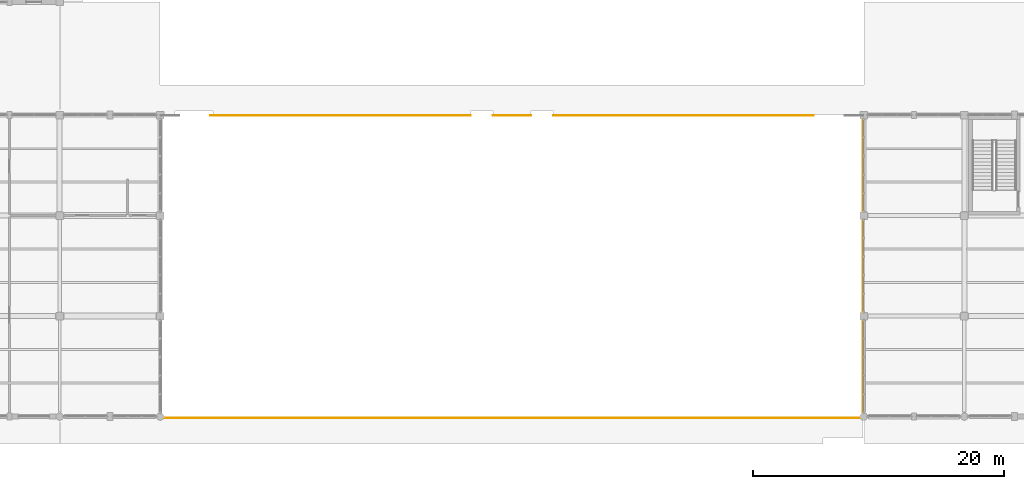
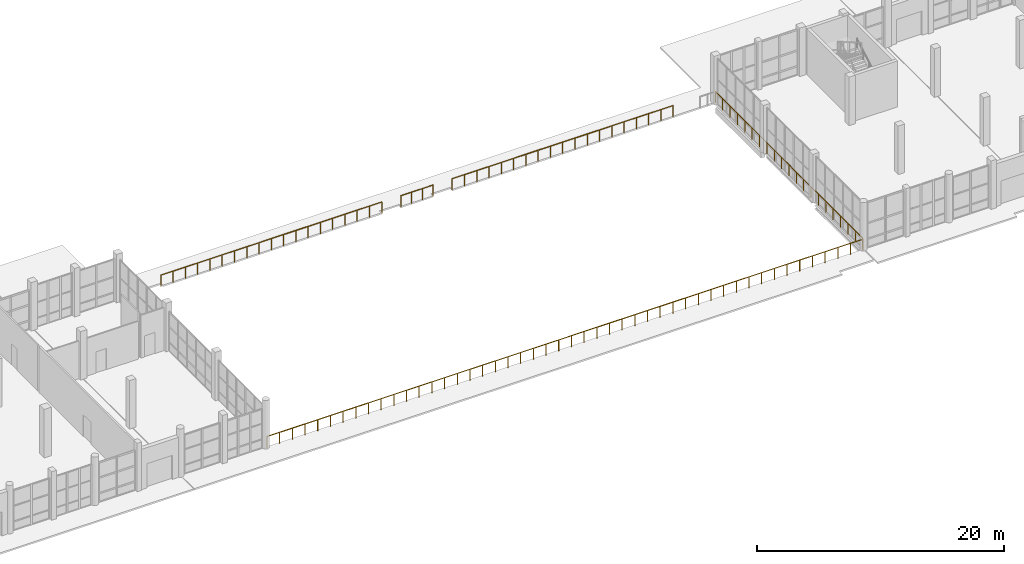
# One storey, part 142 of 156: 5 railings.
"""IFC4 building model written with IfcOpenShell, lengths in metres."""

from ifc_helpers import new_model, si_unit, direction, frame, origin, origin_2d, place, context, subcontext, project, spatial, circle, extrude, material, type_object, element, save


model = new_model("IFC4")

# Units and contexts
model_context = context("Model", 3, precision=1e-05, world=origin(), true_north=direction((0.0, 1.0)))
body_context = subcontext(model_context, "Body", "Model", "MODEL_VIEW")
ifc_project = project(units=[si_unit("LENGTHUNIT", "METRE"), si_unit("AREAUNIT", "SQUARE_METRE"), si_unit("VOLUMEUNIT", "CUBIC_METRE"), si_unit("PLANEANGLEUNIT", "RADIAN"), si_unit("MASSUNIT", "GRAM", prefix="KILO")], contexts=[model_context])

# Site, building, storey
site_placement = place(None, origin())
site = spatial("IfcSite", under=ifc_project, at=site_placement, CompositionType="ELEMENT")
building_placement = place(site_placement, origin())
building = spatial("IfcBuilding", under=site, at=building_placement, Name="Luwemba Playhouse", CompositionType="ELEMENT")
storey_placement = place(building_placement, origin())
storey = spatial("IfcBuildingStorey", under=building, at=storey_placement, Name="L00", CompositionType="ELEMENT", Elevation=0.0)

# Railings
ifc_material = material(Name="Painted wrought-iron balustrade", Category="steel")
railing_type = type_object("IfcRailingType", Name="RLG-BAL-EXT", PredefinedType="BALUSTRADE", material=ifc_material)
railing_1_placement = place(storey_placement, frame((60.050048828125, 2.8798828125, 0.0)))
element("IfcRailing", 1, at=railing_1_placement, inside=storey, type_object=railing_type, Name="Sunken Metro Forecourt L00 rim balustrade 012", PredefinedType="BALUSTRADE", context=body_context, shape_type="SweptSolid", body=[
    extrude(circle(Radius=0.02392578125, at=origin_2d()), frame((0.0, 0.0, 1.09619140625), z_axis=(1.0, 0.0, 0.0), x_axis=(0.0, 1.0, 0.0)), (0.0, 0.0, 1.0), 55.849853515625),
    extrude(circle(Radius=0.02099609375, at=origin_2d()), origin(), (0.0, 0.0, 1.0), 1.072021484375),
    extrude(circle(Radius=0.02099609375, at=origin_2d()), frame((1.188232421875, 0.0, 0.0)), (0.0, 0.0, 1.0), 1.072021484375),
    extrude(circle(Radius=0.02099609375, at=origin_2d()), frame((2.376708984375, 0.0, 0.0)), (0.0, 0.0, 1.0), 1.072021484375),
    extrude(circle(Radius=0.02099609375, at=origin_2d()), frame((3.56494140625, 0.0, 0.0)), (0.0, 0.0, 1.0), 1.072021484375),
    extrude(circle(Radius=0.02099609375, at=origin_2d()), frame((4.753173828125, 0.0, 0.0)), (0.0, 0.0, 1.0), 1.072021484375),
    extrude(circle(Radius=0.02099609375, at=origin_2d()), frame((5.94140625, 0.0, 0.0)), (0.0, 0.0, 1.0), 1.072021484375),
    extrude(circle(Radius=0.02099609375, at=origin_2d()), frame((7.1298828125, 0.0, 0.0)), (0.0, 0.0, 1.0), 1.072021484375),
    extrude(circle(Radius=0.02099609375, at=origin_2d()), frame((8.318115234375, 0.0, 0.0)), (0.0, 0.0, 1.0), 1.072021484375),
    extrude(circle(Radius=0.02099609375, at=origin_2d()), frame((9.50634765625, 0.0, 0.0)), (0.0, 0.0, 1.0), 1.072021484375),
    extrude(circle(Radius=0.02099609375, at=origin_2d()), frame((10.694580078125, 0.0, 0.0)), (0.0, 0.0, 1.0), 1.072021484375),
    extrude(circle(Radius=0.02099609375, at=origin_2d()), frame((11.883056640625, 0.0, 0.0)), (0.0, 0.0, 1.0), 1.072021484375),
    extrude(circle(Radius=0.02099609375, at=origin_2d()), frame((13.0712890625, 0.0, 0.0)), (0.0, 0.0, 1.0), 1.072021484375),
    extrude(circle(Radius=0.02099609375, at=origin_2d()), frame((14.259521484375, 0.0, 0.0)), (0.0, 0.0, 1.0), 1.072021484375),
    extrude(circle(Radius=0.02099609375, at=origin_2d()), frame((15.44775390625, 0.0, 0.0)), (0.0, 0.0, 1.0), 1.072021484375),
    extrude(circle(Radius=0.02099609375, at=origin_2d()), frame((16.63623046875, 0.0, 0.0)), (0.0, 0.0, 1.0), 1.072021484375),
    extrude(circle(Radius=0.02099609375, at=origin_2d()), frame((17.824462890625, 0.0, 0.0)), (0.0, 0.0, 1.0), 1.072021484375),
    extrude(circle(Radius=0.02099609375, at=origin_2d()), frame((19.0126953125, 0.0, 0.0)), (0.0, 0.0, 1.0), 1.072021484375),
    extrude(circle(Radius=0.02099609375, at=origin_2d()), frame((20.200927734375, 0.0, 0.0)), (0.0, 0.0, 1.0), 1.072021484375),
    extrude(circle(Radius=0.02099609375, at=origin_2d()), frame((21.389404296875, 0.0, 0.0)), (0.0, 0.0, 1.0), 1.072021484375),
    extrude(circle(Radius=0.02099609375, at=origin_2d()), frame((22.57763671875, 0.0, 0.0)), (0.0, 0.0, 1.0), 1.072021484375),
    extrude(circle(Radius=0.02099609375, at=origin_2d()), frame((23.765869140625, 0.0, 0.0)), (0.0, 0.0, 1.0), 1.072021484375),
    extrude(circle(Radius=0.02099609375, at=origin_2d()), frame((24.9541015625, 0.0, 0.0)), (0.0, 0.0, 1.0), 1.072021484375),
    extrude(circle(Radius=0.02099609375, at=origin_2d()), frame((26.142578125, 0.0, 0.0)), (0.0, 0.0, 1.0), 1.072021484375),
    extrude(circle(Radius=0.02099609375, at=origin_2d()), frame((27.330810546875, 0.0, 0.0)), (0.0, 0.0, 1.0), 1.072021484375),
    extrude(circle(Radius=0.02099609375, at=origin_2d()), frame((28.51904296875, 0.0, 0.0)), (0.0, 0.0, 1.0), 1.072021484375),
    extrude(circle(Radius=0.02099609375, at=origin_2d()), frame((29.707275390625, 0.0, 0.0)), (0.0, 0.0, 1.0), 1.072021484375),
    extrude(circle(Radius=0.02099609375, at=origin_2d()), frame((30.895751953125, 0.0, 0.0)), (0.0, 0.0, 1.0), 1.072021484375),
    extrude(circle(Radius=0.02099609375, at=origin_2d()), frame((32.083984375, 0.0, 0.0)), (0.0, 0.0, 1.0), 1.072021484375),
    extrude(circle(Radius=0.02099609375, at=origin_2d()), frame((33.272216796875, 0.0, 0.0)), (0.0, 0.0, 1.0), 1.072021484375),
    extrude(circle(Radius=0.02099609375, at=origin_2d()), frame((34.46044921875, 0.0, 0.0)), (0.0, 0.0, 1.0), 1.072021484375),
    extrude(circle(Radius=0.02099609375, at=origin_2d()), frame((35.64892578125, 0.0, 0.0)), (0.0, 0.0, 1.0), 1.072021484375),
    extrude(circle(Radius=0.02099609375, at=origin_2d()), frame((36.837158203125, 0.0, 0.0)), (0.0, 0.0, 1.0), 1.072021484375),
    extrude(circle(Radius=0.02099609375, at=origin_2d()), frame((38.025390625, 0.0, 0.0)), (0.0, 0.0, 1.0), 1.072021484375),
    extrude(circle(Radius=0.02099609375, at=origin_2d()), frame((39.213623046875, 0.0, 0.0)), (0.0, 0.0, 1.0), 1.072021484375),
    extrude(circle(Radius=0.02099609375, at=origin_2d()), frame((40.402099609375, 0.0, 0.0)), (0.0, 0.0, 1.0), 1.072021484375),
    extrude(circle(Radius=0.02099609375, at=origin_2d()), frame((41.59033203125, 0.0, 0.0)), (0.0, 0.0, 1.0), 1.072021484375),
    extrude(circle(Radius=0.02099609375, at=origin_2d()), frame((42.778564453125, 0.0, 0.0)), (0.0, 0.0, 1.0), 1.072021484375),
    extrude(circle(Radius=0.02099609375, at=origin_2d()), frame((43.966796875, 0.0, 0.0)), (0.0, 0.0, 1.0), 1.072021484375),
    extrude(circle(Radius=0.02099609375, at=origin_2d()), frame((45.1552734375, 0.0, 0.0)), (0.0, 0.0, 1.0), 1.072021484375),
    extrude(circle(Radius=0.02099609375, at=origin_2d()), frame((46.343505859375, 0.0, 0.0)), (0.0, 0.0, 1.0), 1.072021484375),
    extrude(circle(Radius=0.02099609375, at=origin_2d()), frame((47.53173828125, 0.0, 0.0)), (0.0, 0.0, 1.0), 1.072021484375),
    extrude(circle(Radius=0.02099609375, at=origin_2d()), frame((48.719970703125, 0.0, 0.0)), (0.0, 0.0, 1.0), 1.072021484375),
    extrude(circle(Radius=0.02099609375, at=origin_2d()), frame((49.908447265625, 0.0, 0.0)), (0.0, 0.0, 1.0), 1.072021484375),
    extrude(circle(Radius=0.02099609375, at=origin_2d()), frame((51.0966796875, 0.0, 0.0)), (0.0, 0.0, 1.0), 1.072021484375),
    extrude(circle(Radius=0.02099609375, at=origin_2d()), frame((52.284912109375, 0.0, 0.0)), (0.0, 0.0, 1.0), 1.072021484375),
    extrude(circle(Radius=0.02099609375, at=origin_2d()), frame((53.47314453125, 0.0, 0.0)), (0.0, 0.0, 1.0), 1.072021484375),
    extrude(circle(Radius=0.02099609375, at=origin_2d()), frame((54.66162109375, 0.0, 0.0)), (0.0, 0.0, 1.0), 1.072021484375),
    extrude(circle(Radius=0.02099609375, at=origin_2d()), frame((55.849853515625, 0.0, 0.0)), (0.0, 0.0, 1.0), 1.072021484375),
])
railing_2_placement = place(storey_placement, frame((115.949951171875, 3.050048828125, 0.0)))
element("IfcRailing", 2, at=railing_2_placement, inside=storey, type_object=railing_type, Name="Sunken Metro Forecourt L00 rim balustrade 014", PredefinedType="BALUSTRADE", context=body_context, shape_type="SweptSolid", body=[
    extrude(circle(Radius=0.02392578125, at=origin_2d()), frame((0.0, 0.0, 1.09619140625), z_axis=(0.0, 1.0, 0.0), x_axis=(-1.0, 0.0, 0.0)), (0.0, 0.0, 1.0), 23.89990234375),
    extrude(circle(Radius=0.02099609375, at=origin_2d()), origin(), (0.0, 0.0, 1.0), 1.072021484375),
    extrude(circle(Radius=0.02099609375, at=origin_2d()), frame((0.0, 1.195068359375, 0.0)), (0.0, 0.0, 1.0), 1.072021484375),
    extrude(circle(Radius=0.02099609375, at=origin_2d()), frame((0.0, 2.389892578125, 0.0)), (0.0, 0.0, 1.0), 1.072021484375),
    extrude(circle(Radius=0.02099609375, at=origin_2d()), frame((0.0, 3.5849609375, 0.0)), (0.0, 0.0, 1.0), 1.072021484375),
    extrude(circle(Radius=0.02099609375, at=origin_2d()), frame((0.0, 4.780029296875, 0.0)), (0.0, 0.0, 1.0), 1.072021484375),
    extrude(circle(Radius=0.02099609375, at=origin_2d()), frame((0.0, 5.97509765625, 0.0)), (0.0, 0.0, 1.0), 1.072021484375),
    extrude(circle(Radius=0.02099609375, at=origin_2d()), frame((0.0, 7.169921875, 0.0)), (0.0, 0.0, 1.0), 1.072021484375),
    extrude(circle(Radius=0.02099609375, at=origin_2d()), frame((0.0, 8.364990234375, 0.0)), (0.0, 0.0, 1.0), 1.072021484375),
    extrude(circle(Radius=0.02099609375, at=origin_2d()), frame((0.0, 9.56005859375, 0.0)), (0.0, 0.0, 1.0), 1.072021484375),
    extrude(circle(Radius=0.02099609375, at=origin_2d()), frame((0.0, 10.7548828125, 0.0)), (0.0, 0.0, 1.0), 1.072021484375),
    extrude(circle(Radius=0.02099609375, at=origin_2d()), frame((0.0, 11.949951171875, 0.0)), (0.0, 0.0, 1.0), 1.072021484375),
    extrude(circle(Radius=0.02099609375, at=origin_2d()), frame((0.0, 13.14501953125, 0.0)), (0.0, 0.0, 1.0), 1.072021484375),
    extrude(circle(Radius=0.02099609375, at=origin_2d()), frame((0.0, 14.33984375, 0.0)), (0.0, 0.0, 1.0), 1.072021484375),
    extrude(circle(Radius=0.02099609375, at=origin_2d()), frame((0.0, 15.534912109375, 0.0)), (0.0, 0.0, 1.0), 1.072021484375),
    extrude(circle(Radius=0.02099609375, at=origin_2d()), frame((0.0, 16.72998046875, 0.0)), (0.0, 0.0, 1.0), 1.072021484375),
    extrude(circle(Radius=0.02099609375, at=origin_2d()), frame((0.0, 17.9248046875, 0.0)), (0.0, 0.0, 1.0), 1.072021484375),
    extrude(circle(Radius=0.02099609375, at=origin_2d()), frame((0.0, 19.119873046875, 0.0)), (0.0, 0.0, 1.0), 1.072021484375),
    extrude(circle(Radius=0.02099609375, at=origin_2d()), frame((0.0, 20.31494140625, 0.0)), (0.0, 0.0, 1.0), 1.072021484375),
    extrude(circle(Radius=0.02099609375, at=origin_2d()), frame((0.0, 21.510009765625, 0.0)), (0.0, 0.0, 1.0), 1.072021484375),
    extrude(circle(Radius=0.02099609375, at=origin_2d()), frame((0.0, 22.704833984375, 0.0)), (0.0, 0.0, 1.0), 1.072021484375),
    extrude(circle(Radius=0.02099609375, at=origin_2d()), frame((0.0, 23.89990234375, 0.0)), (0.0, 0.0, 1.0), 1.072021484375),
])
railing_3_placement = place(storey_placement, frame((64.0, 26.949951171875, 0.0)))
element("IfcRailing", 3, at=railing_3_placement, inside=storey, type_object=railing_type, Name="Sunken Metro Forecourt L00 rim balustrade 016", PredefinedType="BALUSTRADE", context=body_context, shape_type="SweptSolid", body=[
    extrude(circle(Radius=0.02392578125, at=origin_2d()), frame((0.0, 0.0, 1.09619140625), z_axis=(1.0, 0.0, 0.0), x_axis=(0.0, 1.0, 0.0)), (0.0, 0.0, 1.0), 20.699951171875),
    extrude(circle(Radius=0.02099609375, at=origin_2d()), origin(), (0.0, 0.0, 1.0), 1.072021484375),
    extrude(circle(Radius=0.02099609375, at=origin_2d()), frame((1.14990234375, 0.0, 0.0)), (0.0, 0.0, 1.0), 1.072021484375),
    extrude(circle(Radius=0.02099609375, at=origin_2d()), frame((2.300048828125, 0.0, 0.0)), (0.0, 0.0, 1.0), 1.072021484375),
    extrude(circle(Radius=0.02099609375, at=origin_2d()), frame((3.449951171875, 0.0, 0.0)), (0.0, 0.0, 1.0), 1.072021484375),
    extrude(circle(Radius=0.02099609375, at=origin_2d()), frame((4.60009765625, 0.0, 0.0)), (0.0, 0.0, 1.0), 1.072021484375),
    extrude(circle(Radius=0.02099609375, at=origin_2d()), frame((5.75, 0.0, 0.0)), (0.0, 0.0, 1.0), 1.072021484375),
    extrude(circle(Radius=0.02099609375, at=origin_2d()), frame((6.89990234375, 0.0, 0.0)), (0.0, 0.0, 1.0), 1.072021484375),
    extrude(circle(Radius=0.02099609375, at=origin_2d()), frame((8.050048828125, 0.0, 0.0)), (0.0, 0.0, 1.0), 1.072021484375),
    extrude(circle(Radius=0.02099609375, at=origin_2d()), frame((9.199951171875, 0.0, 0.0)), (0.0, 0.0, 1.0), 1.072021484375),
    extrude(circle(Radius=0.02099609375, at=origin_2d()), frame((10.35009765625, 0.0, 0.0)), (0.0, 0.0, 1.0), 1.072021484375),
    extrude(circle(Radius=0.02099609375, at=origin_2d()), frame((11.5, 0.0, 0.0)), (0.0, 0.0, 1.0), 1.072021484375),
    extrude(circle(Radius=0.02099609375, at=origin_2d()), frame((12.64990234375, 0.0, 0.0)), (0.0, 0.0, 1.0), 1.072021484375),
    extrude(circle(Radius=0.02099609375, at=origin_2d()), frame((13.800048828125, 0.0, 0.0)), (0.0, 0.0, 1.0), 1.072021484375),
    extrude(circle(Radius=0.02099609375, at=origin_2d()), frame((14.949951171875, 0.0, 0.0)), (0.0, 0.0, 1.0), 1.072021484375),
    extrude(circle(Radius=0.02099609375, at=origin_2d()), frame((16.099853515625, 0.0, 0.0)), (0.0, 0.0, 1.0), 1.072021484375),
    extrude(circle(Radius=0.02099609375, at=origin_2d()), frame((17.25, 0.0, 0.0)), (0.0, 0.0, 1.0), 1.072021484375),
    extrude(circle(Radius=0.02099609375, at=origin_2d()), frame((18.39990234375, 0.0, 0.0)), (0.0, 0.0, 1.0), 1.072021484375),
    extrude(circle(Radius=0.02099609375, at=origin_2d()), frame((19.550048828125, 0.0, 0.0)), (0.0, 0.0, 1.0), 1.072021484375),
    extrude(circle(Radius=0.02099609375, at=origin_2d()), frame((20.699951171875, 0.0, 0.0)), (0.0, 0.0, 1.0), 1.072021484375),
])
railing_4_placement = place(storey_placement, frame((86.5, 26.949951171875, 0.0)))
element("IfcRailing", 4, at=railing_4_placement, inside=storey, type_object=railing_type, Name="Sunken Metro Forecourt L00 rim balustrade 017", PredefinedType="BALUSTRADE", context=body_context, shape_type="SweptSolid", body=[
    extrude(circle(Radius=0.02392578125, at=origin_2d()), frame((0.0, 0.0, 1.09619140625), z_axis=(1.0, 0.0, 0.0), x_axis=(0.0, 1.0, 0.0)), (0.0, 0.0, 1.0), 3.0),
    extrude(circle(Radius=0.02099609375, at=origin_2d()), origin(), (0.0, 0.0, 1.0), 1.072021484375),
    extrude(circle(Radius=0.02099609375, at=origin_2d()), frame((1.0, 0.0, 0.0)), (0.0, 0.0, 1.0), 1.072021484375),
    extrude(circle(Radius=0.02099609375, at=origin_2d()), frame((2.0, 0.0, 0.0)), (0.0, 0.0, 1.0), 1.072021484375),
    extrude(circle(Radius=0.02099609375, at=origin_2d()), frame((3.0, 0.0, 0.0)), (0.0, 0.0, 1.0), 1.072021484375),
])
railing_5_placement = place(storey_placement, frame((91.300048828125, 26.949951171875, 0.0)))
element("IfcRailing", 5, at=railing_5_placement, inside=storey, type_object=railing_type, Name="Sunken Metro Forecourt L00 rim balustrade 018", PredefinedType="BALUSTRADE", context=body_context, shape_type="SweptSolid", body=[
    extrude(circle(Radius=0.02392578125, at=origin_2d()), frame((0.0, 0.0, 1.09619140625), z_axis=(1.0, 0.0, 0.0), x_axis=(0.0, 1.0, 0.0)), (0.0, 0.0, 1.0), 20.699951171875),
    extrude(circle(Radius=0.02099609375, at=origin_2d()), origin(), (0.0, 0.0, 1.0), 1.072021484375),
    extrude(circle(Radius=0.02099609375, at=origin_2d()), frame((1.14990234375, 0.0, 0.0)), (0.0, 0.0, 1.0), 1.072021484375),
    extrude(circle(Radius=0.02099609375, at=origin_2d()), frame((2.300048828125, 0.0, 0.0)), (0.0, 0.0, 1.0), 1.072021484375),
    extrude(circle(Radius=0.02099609375, at=origin_2d()), frame((3.449951171875, 0.0, 0.0)), (0.0, 0.0, 1.0), 1.072021484375),
    extrude(circle(Radius=0.02099609375, at=origin_2d()), frame((4.60009765625, 0.0, 0.0)), (0.0, 0.0, 1.0), 1.072021484375),
    extrude(circle(Radius=0.02099609375, at=origin_2d()), frame((5.75, 0.0, 0.0)), (0.0, 0.0, 1.0), 1.072021484375),
    extrude(circle(Radius=0.02099609375, at=origin_2d()), frame((6.89990234375, 0.0, 0.0)), (0.0, 0.0, 1.0), 1.072021484375),
    extrude(circle(Radius=0.02099609375, at=origin_2d()), frame((8.050048828125, 0.0, 0.0)), (0.0, 0.0, 1.0), 1.072021484375),
    extrude(circle(Radius=0.02099609375, at=origin_2d()), frame((9.199951171875, 0.0, 0.0)), (0.0, 0.0, 1.0), 1.072021484375),
    extrude(circle(Radius=0.02099609375, at=origin_2d()), frame((10.35009765625, 0.0, 0.0)), (0.0, 0.0, 1.0), 1.072021484375),
    extrude(circle(Radius=0.02099609375, at=origin_2d()), frame((11.5, 0.0, 0.0)), (0.0, 0.0, 1.0), 1.072021484375),
    extrude(circle(Radius=0.02099609375, at=origin_2d()), frame((12.64990234375, 0.0, 0.0)), (0.0, 0.0, 1.0), 1.072021484375),
    extrude(circle(Radius=0.02099609375, at=origin_2d()), frame((13.800048828125, 0.0, 0.0)), (0.0, 0.0, 1.0), 1.072021484375),
    extrude(circle(Radius=0.02099609375, at=origin_2d()), frame((14.949951171875, 0.0, 0.0)), (0.0, 0.0, 1.0), 1.072021484375),
    extrude(circle(Radius=0.02099609375, at=origin_2d()), frame((16.099853515625, 0.0, 0.0)), (0.0, 0.0, 1.0), 1.072021484375),
    extrude(circle(Radius=0.02099609375, at=origin_2d()), frame((17.25, 0.0, 0.0)), (0.0, 0.0, 1.0), 1.072021484375),
    extrude(circle(Radius=0.02099609375, at=origin_2d()), frame((18.39990234375, 0.0, 0.0)), (0.0, 0.0, 1.0), 1.072021484375),
    extrude(circle(Radius=0.02099609375, at=origin_2d()), frame((19.550048828125, 0.0, 0.0)), (0.0, 0.0, 1.0), 1.072021484375),
    extrude(circle(Radius=0.02099609375, at=origin_2d()), frame((20.699951171875, 0.0, 0.0)), (0.0, 0.0, 1.0), 1.072021484375),
])

save(model, "model.ifc")
